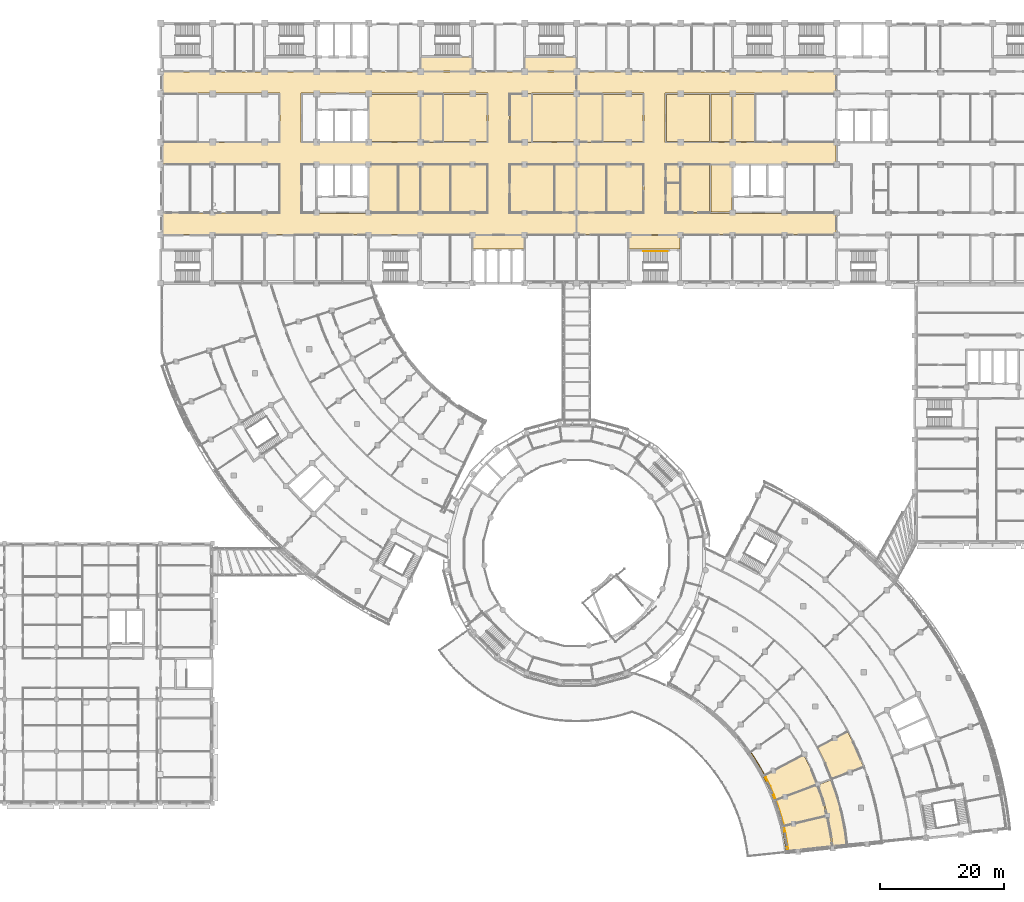
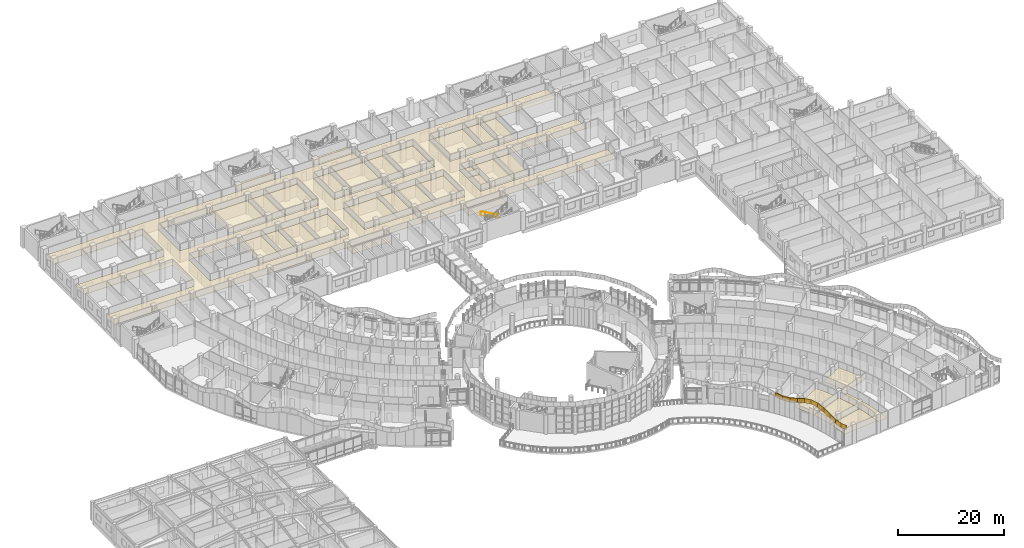
# One storey, part 124 of 136: 44 coverings, 1 railing.
"""IFC4 building model written with IfcOpenShell, lengths in metres."""

from ifc_helpers import new_model, si_unit, direction, frame, origin, origin_2d, place, context, subcontext, project, spatial, polyline, circle, outline, extrude, material, layer, layer_set, type_object, element, save


model = new_model("IFC4")

# Units and contexts
model_context = context("Model", 3, precision=1e-05, world=origin(), true_north=direction((0.0, 1.0)))
body_context = subcontext(model_context, "Body", "Model", "MODEL_VIEW")
ifc_project = project(units=[si_unit("LENGTHUNIT", "METRE"), si_unit("AREAUNIT", "SQUARE_METRE"), si_unit("VOLUMEUNIT", "CUBIC_METRE"), si_unit("PLANEANGLEUNIT", "RADIAN"), si_unit("MASSUNIT", "GRAM", prefix="KILO")], contexts=[model_context])

# Site, building, storey
site_placement = place(None, origin())
site = spatial("IfcSite", under=ifc_project, at=site_placement, CompositionType="ELEMENT")
building_placement = place(site_placement, origin())
building = spatial("IfcBuilding", under=site, at=building_placement, Name="Bougainvillea Quay General Hospital", CompositionType="ELEMENT")
storey_placement = place(building_placement, frame((0.0, 0.0, 5.39990234375)))
storey = spatial("IfcBuildingStorey", under=building, at=storey_placement, Name="L01", CompositionType="ELEMENT", Elevation=5.39990234375)

# Coverings
ifc_material_1 = material(Name="Powder-coated aluminium fascia, yellow", Category="aluminium")
ifc_layer_1 = layer(ifc_material_1, 0.14990234375)
ifc_layer_set_1 = layer_set([ifc_layer_1], Name="Powder-coated aluminium fascia, yellow")
covering_type_1 = type_object("IfcCoveringType", Name="Aluminium wave fascia ribbon yellow 150x1000", PredefinedType="CLADDING", material=ifc_layer_set_1)
covering_1_placement = place(storey_placement, frame((137.210693359375, 41.796142578125, 3.532470703125), z_axis=(0.109304679069, -0.162522992201, 0.980631818849), x_axis=(0.547215193624, -0.813753215754, -0.195860245371)))
element("IfcCovering", 1, at=covering_1_placement, inside=storey, type_object=covering_type_1, Name="Fascia ribbon yellow a21 12", PredefinedType="CLADDING", context=body_context, shape_type="SweptSolid", body=[
    extrude(outline(polyline([(0.0, 0.0), (1.623091750758603, 5.855369357779527e-17), (1.626678844659739, 0.1500378937856229), (-0.003605455353822603, 0.15006605403894868), (0.0, 0.0)])), origin(), (-0.195860245371, -1.1983443e-05, 0.980631818849), 1.0),
])
covering_2_placement = place(storey_placement, frame((138.098876953125, 40.475341796875, 3.21435546875), z_axis=(-0.036704765053, 0.060407528692, 0.997498717142), x_axis=(0.517723938121, -0.852622785898, 0.070684573024)))
element("IfcCovering", 2, at=covering_2_placement, inside=storey, type_object=covering_type_1, Name="Fascia ribbon yellow a21 13", PredefinedType="CLADDING", context=body_context, shape_type="SweptSolid", body=[
    extrude(outline(polyline([(0.0, 0.0), (1.5957765784056435, 7.288887917712705e-17), (1.599132199592897, 0.14992005384468463), (-0.0034442936421649637, 0.15003965349951517), (0.0, 0.0)])), origin(), (0.070684573024, 2.0895388e-05, 0.997498717142), 1.0),
])
covering_3_placement = place(storey_placement, frame((138.925048828125, 39.11474609375, 3.32763671875), z_axis=(-0.139577781086, 0.253833147348, 0.957124221998), x_axis=(0.458187473756, -0.840328502081, 0.289676107892)))
element("IfcCovering", 3, at=covering_3_placement, inside=storey, type_object=covering_type_1, Name="Fascia ribbon yellow a21 14", PredefinedType="CLADDING", context=body_context, shape_type="SweptSolid", body=[
    extrude(outline(polyline([(0.0, 0.0), (1.6629820342711992, 1.1752751549742868e-16), (1.6665577431635707, 0.1499926698340433), (-0.0037558150714066423, 0.14991353909751157), (0.0, 0.0)])), origin(), (0.289676107892, 0.000988019164, 0.957124221998), 1.0),
])
covering_4_placement = place(storey_placement, frame((139.68701171875, 37.71728515625, 3.810546875), z_axis=(-0.151199136034, 0.310548411371, 0.938455382774), x_axis=(0.410510609424, -0.84390731609, 0.345400465258)))
element("IfcCovering", 4, at=covering_4_placement, inside=storey, type_object=covering_type_1, Name="Fascia ribbon yellow a21 15", PredefinedType="CLADDING", context=body_context, shape_type="SweptSolid", body=[
    extrude(outline(polyline([(0.0, 0.0), (1.6961830978835348, 1.1687699419393738e-16), (1.699884797120591, 0.1500644866190289), (-0.003801287284776215, 0.14998710606373), (0.0, 0.0)])), origin(), (0.345400465258, 0.000114639478, 0.938455382774), 1.0),
])
covering_5_placement = place(storey_placement, frame((140.38330078125, 36.285888671875, 4.3974609375), z_axis=(-0.08899104159, 0.207156465886, 0.974251914629), x_axis=(0.385128956988, -0.894898039107, 0.22546216111)))
element("IfcCovering", 5, at=covering_5_placement, inside=storey, type_object=covering_type_1, Name="Fascia ribbon yellow a21 16", PredefinedType="CLADDING", context=body_context, shape_type="SweptSolid", body=[
    extrude(outline(polyline([(0.0, 0.0), (1.6336301712509134, 4.560425388017153e-17), (1.6373577691540309, 0.149926348093054), (-0.0035359368989838365, 0.15006530154823097), (0.0, 0.0)])), origin(), (0.22546216111, -0.000144045023, 0.974251914629), 1.0),
])
covering_6_placement = place(storey_placement, frame((141.012451171875, 34.823974609375, 4.76611328125), z_axis=(0.0106693338, -0.030715752509, 0.999471214125), x_axis=(0.352113568421, -0.935392666595, -0.032505295184)))
element("IfcCovering", 6, at=covering_6_placement, inside=storey, type_object=covering_type_1, Name="Fascia ribbon yellow a21 17", PredefinedType="CLADDING", context=body_context, shape_type="SweptSolid", body=[
    extrude(outline(polyline([(0.0, 0.0), (1.5926420998051474, 3.313592889658823e-17), (1.5961433591716665, 0.1499833036031019), (-0.003303879869528652, 0.14993471950987397), (0.0, 0.0)])), origin(), (-0.032505295184, 0.000835416629, 0.999471214125), 1.0),
])
covering_7_placement = place(storey_placement, frame((141.5732421875, 33.334228515625, 4.7138671875), z_axis=(0.082710229895, -0.255114139175, 0.963366905111), x_axis=(0.297141787985, -0.91639650359, -0.26818688641)))
element("IfcCovering", 7, at=covering_7_placement, inside=storey, type_object=covering_type_1, Name="Fascia ribbon yellow a21 18", PredefinedType="CLADDING", context=body_context, shape_type="SweptSolid", body=[
    extrude(outline(polyline([(0.0, 0.0), (1.6522955199543798, 6.67326437164828e-17), (1.655909649846166, 0.15004102140250847), (-0.00360327166584496, 0.1499840669337563), (0.0, 0.0)])), origin(), (-0.26818688641, 9.705968e-06, 0.963366905111), 1.0),
])
covering_8_placement = place(storey_placement, frame((142.064208984375, 31.820068359375, 4.26953125), z_axis=(0.09202025315, -0.335803139188, 0.93742654364), x_axis=(0.247431735423, -0.904182544731, -0.348183087053)))
element("IfcCovering", 8, at=covering_8_placement, inside=storey, type_object=covering_type_1, Name="Fascia ribbon yellow a21 19", PredefinedType="CLADDING", context=body_context, shape_type="SweptSolid", body=[
    extrude(outline(polyline([(0.0, 0.0), (1.6981282903606307, -1.0904363349772961e-16), (1.7017255711998942, 0.15018475790844693), (-0.003696228306645897, 0.15004080019126687), (0.0, 0.0)])), origin(), (-0.348183087053, -0.00011475317, 0.93742654364), 1.0),
])
covering_9_placement = place(storey_placement, frame((142.484375, 30.28466796875, 3.677001953125), z_axis=(0.055350153318, -0.245795680845, 0.967740070373), x_axis=(0.211975060788, -0.944239081696, -0.251950650329)))
element("IfcCovering", 9, at=covering_9_placement, inside=storey, type_object=covering_type_1, Name="Fascia ribbon yellow a21 20", PredefinedType="CLADDING", context=body_context, shape_type="SweptSolid", body=[
    extrude(outline(polyline([(0.0, 0.0), (1.6446692966513417, 2.0857339293189892e-17), (1.648176098484991, 0.14987422807711348), (-0.0036988072469338724, 0.15018049805096076), (0.0, 0.0)])), origin(), (-0.251950650329, -0.000161223552, 0.967740070373), 1.0),
])
covering_10_placement = place(storey_placement, frame((142.8330078125, 28.731689453125, 3.26220703125), z_axis=(0.001093654693, -0.006178637961, 0.999980313982), x_axis=(0.173466919426, -0.984819707482, -0.006274680863)))
element("IfcCovering", 10, at=covering_10_placement, inside=storey, type_object=covering_type_1, Name="Fascia ribbon yellow a21 21", PredefinedType="CLADDING", context=body_context, shape_type="SweptSolid", body=[
    extrude(outline(polyline([(0.0, 0.0), (1.5917909398261905, -6.045988828603187e-17), (1.5951371769588853, 0.14988527131755258), (-0.0035976804470477346, 0.14986890774978118), (0.0, 0.0)])), origin(), (-0.006274680863, -5.263401e-06, 0.999980313982), 1.0),
])
covering_11_placement = place(storey_placement, frame((143.109130859375, 27.1640625, 3.252685546875), z_axis=(-0.030747337513, 0.241336721018, 0.969954219705), x_axis=(0.123728061598, -0.962030474381, 0.243287346848)))
element("IfcCovering", 11, at=covering_11_placement, inside=storey, type_object=covering_type_1, Name="Fascia ribbon yellow a21 22", PredefinedType="CLADDING", context=body_context, shape_type="SweptSolid", body=[
    extrude(outline(polyline([(0.0, 0.0), (1.6338063549154436, 2.190088388420719e-17), (1.6338825298450514, 0.14989615915475488), (-0.003744885281890187, 0.14987902207535417), (0.0, 0.0)])), origin(), (0.243287346848, -0.000280248991, 0.969954219705), 1.0),
])

# Railing
ifc_material_2 = material(Name="Stainless steel 304 handrail", Category="steel")
railing_type = type_object("IfcRailingType", Name="Stair handrail 900", PredefinedType="HANDRAIL", material=ifc_material_2)
railing_placement = place(storey_placement, frame((123.89990234375, 122.77490234375, 0.150146484375)))
element("IfcRailing", 12, at=railing_placement, inside=storey, type_object=railing_type, Name="L01 ST-B3 stair handrail 1", PredefinedType="HANDRAIL", context=body_context, shape_type="SweptSolid", body=[
    extrude(circle(Radius=0.02392578125, at=origin_2d()), frame((0.0, 0.0, 0.8759765625), z_axis=(-0.881489763865, 0.0, 0.472203130232), x_axis=(0.0, -1.0, 0.0)), (0.0, 0.0, 1.0), 4.447021484375),
    extrude(circle(Radius=0.02099609375, at=origin_2d()), origin(), (0.0, 0.0, 1.0), 0.851806640625),
    extrude(circle(Radius=0.02099609375, at=origin_2d()), frame((-0.97998046875, 0.0, 0.52490234375)), (0.0, 0.0, 1.0), 0.851806640625),
    extrude(circle(Radius=0.02099609375, at=origin_2d()), frame((-1.9599609375, 0.0, 1.0498046875)), (0.0, 0.0, 1.0), 0.851806640625),
    extrude(circle(Radius=0.02099609375, at=origin_2d()), frame((-2.93994140625, 0.0, 1.574951171875)), (0.0, 0.0, 1.0), 0.851806640625),
    extrude(circle(Radius=0.02099609375, at=origin_2d()), frame((-3.919921875, 0.0, 2.099853515625)), (0.0, 0.0, 1.0), 0.851806640625),
])

# Coverings
ifc_material_3 = material(Name="Mineral fibre ceiling tile")
ifc_layer_2 = layer(ifc_material_3, 0.030029296875)
ifc_layer_set_2 = layer_set([ifc_layer_2], Name="Mineral fibre ceiling tile")
covering_type_2 = type_object("IfcCoveringType", Name="Suspended ceiling mineral fibre tile", PredefinedType="CEILING", material=ifc_layer_set_2)
covering_12_placement = place(storey_placement, frame((0.0, 0.0, 2.7001953125)))
element("IfcCovering", 13, at=covering_12_placement, inside=storey, type_object=covering_type_2, Name="Ceiling Corridor V4-5", PredefinedType="CEILING", context=body_context, shape_type="SweptSolid", body=[
    extrude(outline(polyline([(117.5, 125.449951171875), (117.5, 125.5), (126.10009765625, 125.5), (126.10009765625, 125.449951171875), (151.10009765625, 125.449951171875), (151.10009765625, 128.949951171875), (142.89990234375, 128.949951171875), (142.89990234375, 128.89990234375), (130.699951171875, 128.89990234375), (130.699951171875, 128.949951171875), (123.550048828125, 128.949951171875), (123.550048828125, 136.85009765625), (130.699951171875, 136.85009765625), (130.699951171875, 136.89990234375), (134.5, 136.89990234375), (134.5, 136.85009765625), (151.10009765625, 136.85009765625), (151.10009765625, 140.35009765625), (138.10009765625, 140.35009765625), (138.10009765625, 140.300048828125), (123.5, 140.300048828125), (123.5, 148.300048828125), (138.10009765625, 148.300048828125), (138.10009765625, 148.25), (151.10009765625, 148.25), (151.10009765625, 151.699951171875), (134.300048828125, 151.699951171875), (134.300048828125, 151.75), (117.699951171875, 151.75), (117.699951171875, 151.699951171875), (109.300048828125, 151.699951171875), (109.300048828125, 148.25), (113.300048828125, 148.25), (113.300048828125, 148.300048828125), (120.10009765625, 148.300048828125), (120.10009765625, 140.300048828125), (113.300048828125, 140.300048828125), (113.300048828125, 140.35009765625), (109.300048828125, 140.35009765625), (109.300048828125, 136.85009765625), (120.050048828125, 136.85009765625), (120.050048828125, 128.949951171875), (109.300048828125, 128.949951171875), (109.300048828125, 125.449951171875), (117.5, 125.449951171875)])), origin(), (0.0, 0.0, 1.0), 0.02978515625),
])
covering_13_placement = place(storey_placement, frame((0.0, 0.0, 2.7001953125)))
element("IfcCovering", 14, at=covering_13_placement, inside=storey, type_object=covering_type_2, Name="Ceiling Corridor V4-6", PredefinedType="CEILING", context=body_context, shape_type="SweptSolid", body=[
    extrude(outline(polyline([(42.0, 125.5), (50.5, 125.5), (50.5, 125.449951171875), (58.697998046875, 125.449951171875), (58.697998046875, 125.5), (63.697998046875, 125.5), (63.697998046875, 125.449951171875), (75.5, 125.449951171875), (75.5, 125.5), (84.10009765625, 125.5), (84.10009765625, 125.449951171875), (92.300048828125, 125.449951171875), (92.300048828125, 125.5), (100.89990234375, 125.5), (100.89990234375, 125.449951171875), (109.097900390625, 125.449951171875), (109.097900390625, 125.5), (109.10009765625, 125.5), (109.10009765625, 128.949951171875), (98.35009765625, 128.949951171875), (98.35009765625, 136.85009765625), (109.10009765625, 136.85009765625), (109.10009765625, 140.300048828125), (101.89990234375, 140.300048828125), (101.89990234375, 140.35009765625), (98.35009765625, 140.35009765625), (98.35009765625, 148.25), (101.89990234375, 148.25), (101.89990234375, 148.300048828125), (109.10009765625, 148.300048828125), (109.10009765625, 151.699951171875), (95.89990234375, 151.699951171875), (95.89990234375, 151.75), (92.5, 151.75), (92.5, 151.699951171875), (80.300048828125, 151.699951171875), (80.300048828125, 151.75), (75.699951171875, 151.75), (75.699951171875, 151.699951171875), (56.89794921875, 151.699951171875), (56.89794921875, 151.75), (50.5, 151.75), (50.5, 151.699951171875), (42.0, 151.699951171875), (42.0, 148.25), (47.89990234375, 148.25), (47.89990234375, 148.300048828125), (61.300048828125, 148.300048828125), (61.300048828125, 140.300048828125), (47.89990234375, 140.300048828125), (47.89990234375, 140.35009765625), (42.0, 140.35009765625), (42.0, 136.85009765625), (61.25, 136.85009765625), (61.25, 128.949951171875), (42.0, 128.949951171875), (42.0, 125.5)]), holes=[polyline([(67.10009765625, 128.89990234375), (75.699951171875, 128.89990234375), (75.699951171875, 128.949951171875), (94.85009765625, 128.949951171875), (94.85009765625, 136.85009765625), (64.75, 136.85009765625), (64.75, 128.949951171875), (67.10009765625, 128.949951171875), (67.10009765625, 128.89990234375)]), polyline([(67.300048828125, 140.300048828125), (67.300048828125, 140.35009765625), (75.5, 140.35009765625), (75.5, 140.300048828125), (84.10009765625, 140.300048828125), (84.10009765625, 140.35009765625), (87.5, 140.35009765625), (87.5, 140.300048828125), (94.89990234375, 140.300048828125), (94.89990234375, 148.300048828125), (87.5, 148.300048828125), (87.5, 148.25), (84.10009765625, 148.25), (84.10009765625, 148.300048828125), (64.699951171875, 148.300048828125), (64.699951171875, 140.300048828125), (67.300048828125, 140.300048828125)])]), origin(), (0.0, 0.0, 1.0), 0.02978515625),
])
covering_14_placement = place(storey_placement, frame((0.0, 0.0, 2.7001953125)))
element("IfcCovering", 15, at=covering_14_placement, inside=storey, type_object=covering_type_2, Name="Ceiling Lift Lobby LB-P1", PredefinedType="CEILING", context=body_context, shape_type="SweptSolid", body=[
    extrude(outline(polyline([(100.699951171875, 125.300048828125), (92.5, 125.300048828125), (92.5, 123.10009765625), (100.699951171875, 123.10009765625), (100.699951171875, 125.300048828125)])), origin(), (0.0, 0.0, 1.0), 0.02978515625),
])
covering_15_placement = place(storey_placement, frame((0.0, 0.0, 2.7001953125)))
element("IfcCovering", 16, at=covering_15_placement, inside=storey, type_object=covering_type_2, Name="Ceiling Smoke-proof Stair Vestibule ST-A2", PredefinedType="CEILING", context=body_context, shape_type="SweptSolid", body=[
    extrude(outline(polyline([(84.10009765625, 151.89990234375), (92.300048828125, 151.89990234375), (92.300048828125, 154.10009765625), (84.10009765625, 154.10009765625), (84.10009765625, 151.89990234375)])), origin(), (0.0, 0.0, 1.0), 0.02978515625),
])
covering_16_placement = place(storey_placement, frame((0.0, 0.0, 2.7001953125)))
element("IfcCovering", 17, at=covering_16_placement, inside=storey, type_object=covering_type_2, Name="Ceiling Smoke-proof Stair Vestibule ST-A5", PredefinedType="CEILING", context=body_context, shape_type="SweptSolid", body=[
    extrude(outline(polyline([(109.10009765625, 154.10009765625), (100.89990234375, 154.10009765625), (100.89990234375, 151.89990234375), (109.10009765625, 151.89990234375), (109.10009765625, 154.10009765625)])), origin(), (0.0, 0.0, 1.0), 0.02978515625),
])
covering_17_placement = place(storey_placement, frame((0.0, 0.0, 2.7001953125)))
element("IfcCovering", 18, at=covering_17_placement, inside=storey, type_object=covering_type_2, Name="Ceiling Smoke-proof Stair Vestibule ST-B3", PredefinedType="CEILING", context=body_context, shape_type="SweptSolid", body=[
    extrude(outline(polyline([(117.699951171875, 123.10009765625), (125.89990234375, 123.10009765625), (125.89990234375, 125.300048828125), (117.699951171875, 125.300048828125), (117.699951171875, 123.10009765625)])), origin(), (0.0, 0.0, 1.0), 0.02978515625),
])
covering_18_placement = place(storey_placement, frame((0.0, 0.0, 2.800048828125)))
element("IfcCovering", 19, at=covering_18_placement, inside=storey, type_object=covering_type_2, Name="Ceiling Intensive Care Bed Bay Room 09", PredefinedType="CEILING", context=body_context, shape_type="SweptSolid", body=[
    extrude(outline(polyline([(80.35009765625, 129.050048828125), (80.35009765625, 136.75), (75.64990234375, 136.75), (75.64990234375, 131.699951171875), (75.699951171875, 131.699951171875), (75.699951171875, 129.050048828125), (80.35009765625, 129.050048828125)])), origin(), (0.0, 0.0, 1.0), 0.030029296875),
])
covering_19_placement = place(storey_placement, frame((0.0, 0.0, 2.800048828125)))
element("IfcCovering", 20, at=covering_19_placement, inside=storey, type_object=covering_type_2, Name="Ceiling Intensive Care Bed Bay Room 10", PredefinedType="CEILING", context=body_context, shape_type="SweptSolid", body=[
    extrude(outline(polyline([(80.449951171875, 129.050048828125), (83.949951171875, 129.050048828125), (83.949951171875, 136.75), (80.449951171875, 136.75), (80.449951171875, 129.050048828125)])), origin(), (0.0, 0.0, 1.0), 0.030029296875),
])
covering_20_placement = place(storey_placement, frame((0.0, 0.0, 2.800048828125)))
element("IfcCovering", 21, at=covering_20_placement, inside=storey, type_object=covering_type_2, Name="Ceiling Intensive Care Bed Bay Room 11", PredefinedType="CEILING", context=body_context, shape_type="SweptSolid", body=[
    extrude(outline(polyline([(84.050048828125, 129.050048828125), (88.75, 129.050048828125), (88.75, 136.75), (84.050048828125, 136.75), (84.050048828125, 129.050048828125)])), origin(), (0.0, 0.0, 1.0), 0.030029296875),
])
covering_21_placement = place(storey_placement, frame((0.0, 0.0, 2.800048828125)))
element("IfcCovering", 22, at=covering_21_placement, inside=storey, type_object=covering_type_2, Name="Ceiling Intensive Care Bed Bay Room 12", PredefinedType="CEILING", context=body_context, shape_type="SweptSolid", body=[
    extrude(outline(polyline([(88.85009765625, 129.050048828125), (94.75, 129.050048828125), (94.75, 136.75), (88.85009765625, 136.75), (88.85009765625, 129.050048828125)])), origin(), (0.0, 0.0, 1.0), 0.030029296875),
])
covering_22_placement = place(storey_placement, frame((0.0, 0.0, 2.800048828125)))
element("IfcCovering", 23, at=covering_22_placement, inside=storey, type_object=covering_type_2, Name="Ceiling Intensive Care Nurses' Station", PredefinedType="CEILING", context=body_context, shape_type="SweptSolid", body=[
    extrude(outline(polyline([(98.449951171875, 129.050048828125), (105.550048828125, 129.050048828125), (105.550048828125, 136.75), (98.449951171875, 136.75), (98.449951171875, 129.050048828125)])), origin(), (0.0, 0.0, 1.0), 0.030029296875),
])
covering_23_placement = place(storey_placement, frame((0.0, 0.0, 2.800048828125)))
element("IfcCovering", 24, at=covering_23_placement, inside=storey, type_object=covering_type_2, Name="Ceiling Intensive Care Bed Bay Room 13", PredefinedType="CEILING", context=body_context, shape_type="SweptSolid", body=[
    extrude(outline(polyline([(105.64990234375, 129.050048828125), (109.10009765625, 129.050048828125), (109.10009765625, 136.75), (105.64990234375, 136.75), (105.64990234375, 129.050048828125)])), origin(), (0.0, 0.0, 1.0), 0.030029296875),
])
covering_24_placement = place(storey_placement, frame((0.0, 0.0, 2.800048828125)))
element("IfcCovering", 25, at=covering_24_placement, inside=storey, type_object=covering_type_2, Name="Ceiling Intensive Care Bed Bay Room 14", PredefinedType="CEILING", context=body_context, shape_type="SweptSolid", body=[
    extrude(outline(polyline([(113.949951171875, 129.050048828125), (113.949951171875, 136.75), (109.300048828125, 136.75), (109.300048828125, 129.050048828125), (113.949951171875, 129.050048828125)])), origin(), (0.0, 0.0, 1.0), 0.030029296875),
])
covering_25_placement = place(storey_placement, frame((0.0, 0.0, 2.800048828125)))
element("IfcCovering", 26, at=covering_25_placement, inside=storey, type_object=covering_type_2, Name="Ceiling Intensive Care Clean Utility", PredefinedType="CEILING", context=body_context, shape_type="SweptSolid", body=[
    extrude(outline(polyline([(114.050048828125, 129.050048828125), (119.949951171875, 129.050048828125), (119.949951171875, 136.75), (114.050048828125, 136.75), (114.050048828125, 129.050048828125)])), origin(), (0.0, 0.0, 1.0), 0.030029296875),
])
covering_26_placement = place(storey_placement, frame((0.0, 0.0, 2.800048828125)))
element("IfcCovering", 27, at=covering_26_placement, inside=storey, type_object=covering_type_2, Name="Ceiling Intensive Care Bed Bay Room 15", PredefinedType="CEILING", context=body_context, shape_type="SweptSolid", body=[
    extrude(outline(polyline([(125.949951171875, 133.75), (123.64990234375, 133.75), (123.64990234375, 129.050048828125), (125.949951171875, 129.050048828125), (125.949951171875, 133.75)])), origin(), (0.0, 0.0, 1.0), 0.030029296875),
])
covering_27_placement = place(storey_placement, frame((0.0, 0.0, 2.800048828125)))
element("IfcCovering", 28, at=covering_27_placement, inside=storey, type_object=covering_type_2, Name="Ceiling Intensive Care Bed Bay Room 16", PredefinedType="CEILING", context=body_context, shape_type="SweptSolid", body=[
    extrude(outline(polyline([(125.949951171875, 136.75), (123.64990234375, 136.75), (123.64990234375, 133.85009765625), (125.949951171875, 133.85009765625), (125.949951171875, 136.75)])), origin(), (0.0, 0.0, 1.0), 0.030029296875),
])
covering_28_placement = place(storey_placement, frame((0.0, 0.0, 2.800048828125)))
element("IfcCovering", 29, at=covering_28_placement, inside=storey, type_object=covering_type_2, Name="Ceiling Intensive Care Staff Room", PredefinedType="CEILING", context=body_context, shape_type="SweptSolid", body=[
    extrude(outline(polyline([(126.050048828125, 129.050048828125), (130.699951171875, 129.050048828125), (130.699951171875, 136.75), (126.050048828125, 136.75), (126.050048828125, 129.050048828125)])), origin(), (0.0, 0.0, 1.0), 0.030029296875),
])
covering_29_placement = place(storey_placement, frame((0.0, 0.0, 2.800048828125)))
element("IfcCovering", 30, at=covering_29_placement, inside=storey, type_object=covering_type_2, Name="Ceiling Intensive Care Equipment Store", PredefinedType="CEILING", context=body_context, shape_type="SweptSolid", body=[
    extrude(outline(polyline([(130.89990234375, 136.699951171875), (130.89990234375, 129.10009765625), (134.300048828125, 129.10009765625), (134.300048828125, 136.699951171875), (130.89990234375, 136.699951171875)])), origin(), (0.0, 0.0, 1.0), 0.030029296875),
])
covering_30_placement = place(storey_placement, frame((0.0, 0.0, 2.800048828125)))
element("IfcCovering", 31, at=covering_30_placement, inside=storey, type_object=covering_type_2, Name="Ceiling Aseptic Compounding Suite", PredefinedType="CEILING", context=body_context, shape_type="SweptSolid", body=[
    extrude(outline(polyline([(83.89990234375, 140.5), (83.89990234375, 148.10009765625), (75.699951171875, 148.10009765625), (75.699951171875, 140.5), (83.89990234375, 140.5)])), origin(), (0.0, 0.0, 1.0), 0.030029296875),
])
covering_31_placement = place(storey_placement, frame((0.0, 0.0, 2.800048828125)))
element("IfcCovering", 32, at=covering_31_placement, inside=storey, type_object=covering_type_2, Name="Ceiling Aseptic Gowning Room", PredefinedType="CEILING", context=body_context, shape_type="SweptSolid", body=[
    extrude(outline(polyline([(87.5, 140.449951171875), (87.5, 148.14990234375), (84.10009765625, 148.14990234375), (84.10009765625, 140.449951171875), (87.5, 140.449951171875)])), origin(), (0.0, 0.0, 1.0), 0.030029296875),
])
covering_32_placement = place(storey_placement, frame((0.0, 0.0, 2.800048828125)))
element("IfcCovering", 33, at=covering_32_placement, inside=storey, type_object=covering_type_2, Name="Ceiling Pharmacy Manufacturing Room", PredefinedType="CEILING", context=body_context, shape_type="SweptSolid", body=[
    extrude(outline(polyline([(94.699951171875, 148.10009765625), (87.699951171875, 148.10009765625), (87.699951171875, 140.5), (94.699951171875, 140.5), (94.699951171875, 148.10009765625)])), origin(), (0.0, 0.0, 1.0), 0.030029296875),
])
covering_33_placement = place(storey_placement, frame((0.0, 0.0, 2.800048828125)))
element("IfcCovering", 34, at=covering_33_placement, inside=storey, type_object=covering_type_2, Name="Ceiling Aseptic Gowning Room", PredefinedType="CEILING", context=body_context, shape_type="SweptSolid", body=[
    extrude(outline(polyline([(98.449951171875, 140.449951171875), (101.89990234375, 140.449951171875), (101.89990234375, 148.14990234375), (98.449951171875, 148.14990234375), (98.449951171875, 140.449951171875)])), origin(), (0.0, 0.0, 1.0), 0.030029296875),
])
covering_34_placement = place(storey_placement, frame((0.0, 0.0, 2.800048828125)))
element("IfcCovering", 35, at=covering_34_placement, inside=storey, type_object=covering_type_2, Name="Ceiling Pharmacy Manufacturing Room", PredefinedType="CEILING", context=body_context, shape_type="SweptSolid", body=[
    extrude(outline(polyline([(102.10009765625, 140.5), (109.10009765625, 140.5), (109.10009765625, 148.10009765625), (102.10009765625, 148.10009765625), (102.10009765625, 140.5)])), origin(), (0.0, 0.0, 1.0), 0.030029296875),
])
covering_35_placement = place(storey_placement, frame((0.0, 0.0, 2.800048828125)))
element("IfcCovering", 36, at=covering_35_placement, inside=storey, type_object=covering_type_2, Name="Ceiling Blood Bank Reception", PredefinedType="CEILING", context=body_context, shape_type="SweptSolid", body=[
    extrude(outline(polyline([(109.300048828125, 148.14990234375), (109.300048828125, 140.449951171875), (113.300048828125, 140.449951171875), (113.300048828125, 148.14990234375), (109.300048828125, 148.14990234375)])), origin(), (0.0, 0.0, 1.0), 0.030029296875),
])
covering_36_placement = place(storey_placement, frame((0.0, 0.0, 2.800048828125)))
element("IfcCovering", 37, at=covering_36_placement, inside=storey, type_object=covering_type_2, Name="Ceiling Blood Bank Crossmatch Laboratory", PredefinedType="CEILING", context=body_context, shape_type="SweptSolid", body=[
    extrude(outline(polyline([(113.5, 140.5), (119.89990234375, 140.5), (119.89990234375, 148.10009765625), (113.5, 148.10009765625), (113.5, 140.5)])), origin(), (0.0, 0.0, 1.0), 0.030029296875),
])
covering_37_placement = place(storey_placement, frame((0.0, 0.0, 2.800048828125)))
element("IfcCovering", 38, at=covering_37_placement, inside=storey, type_object=covering_type_2, Name="Ceiling Blood Bank Crossmatch Laboratory", PredefinedType="CEILING", context=body_context, shape_type="SweptSolid", body=[
    extrude(outline(polyline([(130.699951171875, 148.10009765625), (123.699951171875, 148.10009765625), (123.699951171875, 140.5), (130.699951171875, 140.5), (130.699951171875, 148.10009765625)])), origin(), (0.0, 0.0, 1.0), 0.030029296875),
])
covering_38_placement = place(storey_placement, frame((0.0, 0.0, 2.800048828125)))
element("IfcCovering", 39, at=covering_38_placement, inside=storey, type_object=covering_type_2, Name="Ceiling Blood Storage Room", PredefinedType="CEILING", context=body_context, shape_type="SweptSolid", body=[
    extrude(outline(polyline([(130.89990234375, 148.10009765625), (130.89990234375, 140.5), (134.300048828125, 140.5), (134.300048828125, 148.10009765625), (130.89990234375, 148.10009765625)])), origin(), (0.0, 0.0, 1.0), 0.030029296875),
])
covering_39_placement = place(storey_placement, frame((0.0, 0.0, 2.800048828125)))
element("IfcCovering", 40, at=covering_39_placement, inside=storey, type_object=covering_type_2, Name="Ceiling Platelet Storage Room", PredefinedType="CEILING", context=body_context, shape_type="SweptSolid", body=[
    extrude(outline(polyline([(134.5, 148.10009765625), (134.5, 140.5), (137.89990234375, 140.5), (137.89990234375, 148.10009765625), (134.5, 148.10009765625)])), origin(), (0.0, 0.0, 1.0), 0.030029296875),
])
covering_40_placement = place(storey_placement, frame((0.0, 0.0, 2.7001953125)))
element("IfcCovering", 41, at=covering_40_placement, inside=storey, type_object=covering_type_2, Name="Ceiling Respiratory Function Consulting Room 01E102", PredefinedType="CEILING", context=body_context, shape_type="SweptSolid", body=[
    extrude(outline(polyline([(149.34375, 40.190673828125), (149.3486328125, 40.192626953125), (149.37548828125, 40.12548828125), (149.407470703125, 40.060791015625), (149.402587890625, 40.058349609375), (150.388916015625, 37.611083984375), (150.393798828125, 37.611083984375), (150.40966796875, 37.565673828125), (155.527587890625, 39.4921875), (155.047607421875, 40.7197265625), (154.4365234375, 42.1513671875), (153.780517578125, 43.563232421875), (152.970458984375, 45.1572265625), (148.162109375, 42.607666015625), (148.17333984375, 42.588134765625), (148.16943359375, 42.5859375), (149.34375, 40.190673828125)])), origin(), (0.0, 0.0, 1.0), 0.02978515625),
])
covering_41_placement = place(storey_placement, frame((0.0, 0.0, 2.7001953125)))
element("IfcCovering", 42, at=covering_41_placement, inside=storey, type_object=covering_type_2, Name="Ceiling Sleep Studies Treatment Room 01E113", PredefinedType="CEILING", context=body_context, shape_type="SweptSolid", body=[
    extrude(outline(polyline([(139.75244140625, 37.02978515625), (139.75390625, 37.030517578125), (139.79736328125, 36.942138671875), (139.7958984375, 36.94140625), (140.216552734375, 36.048095703125), (140.218017578125, 36.048828125), (140.258544921875, 35.958984375), (140.257080078125, 35.95849609375), (140.648681640625, 35.05126953125), (140.650146484375, 35.0517578125), (140.687744140625, 34.9609375), (140.686279296875, 34.960205078125), (141.04833984375, 34.042236328125), (148.02197265625, 36.6669921875), (147.050537109375, 39.077392578125), (145.90673828125, 41.411865234375), (139.303955078125, 37.909912109375), (139.75244140625, 37.02978515625)])), origin(), (0.0, 0.0, 1.0), 0.02978515625),
])
covering_42_placement = place(storey_placement, frame((0.0, 0.0, 2.400146484375)))
element("IfcCovering", 43, at=covering_42_placement, inside=storey, type_object=covering_type_2, Name="Ceiling Clinic Corridor 01E1", PredefinedType="CEILING", context=body_context, shape_type="SweptSolid", body=[
    extrude(outline(polyline([(149.07861328125, 34.09521484375), (149.736083984375, 31.66845703125), (149.740478515625, 31.66943359375), (149.755126953125, 31.598388671875), (149.77392578125, 31.5283203125), (149.76953125, 31.527099609375), (150.26953125, 29.064208984375), (150.27490234375, 29.06494140625), (150.283935546875, 28.9931640625), (150.29833984375, 28.92236328125), (150.293212890625, 28.92138671875), (150.6171875, 26.406494140625), (152.85302734375, 26.641845703125), (152.501953125, 29.370849609375), (151.944091796875, 32.11669921875), (151.21240234375, 34.82177734375), (150.31884765625, 37.37109375), (148.21435546875, 36.5791015625), (149.03564453125, 34.233642578125), (149.040771484375, 34.235107421875), (149.0595703125, 34.165283203125), (149.08349609375, 34.096923828125), (149.07861328125, 34.09521484375)])), origin(), (0.0, 0.0, 1.0), 0.030029296875),
])
covering_43_placement = place(storey_placement, frame((0.0, 0.0, 2.7001953125)))
element("IfcCovering", 44, at=covering_43_placement, inside=storey, type_object=covering_type_2, Name="Ceiling Hearing Consulting Room 01E111", PredefinedType="CEILING", context=body_context, shape_type="SweptSolid", body=[
    extrude(outline(polyline([(141.416748046875, 33.01953125), (141.418212890625, 33.02001953125), (141.449951171875, 32.9267578125), (141.448486328125, 32.92626953125), (141.751708984375, 31.986328125), (141.753173828125, 31.98681640625), (141.781982421875, 31.892822265625), (141.780517578125, 31.892333984375), (142.0537109375, 30.9423828125), (142.05517578125, 30.94287109375), (142.080810546875, 30.84765625), (142.079345703125, 30.847412109375), (142.322265625, 29.890869140625), (149.595947265625, 31.612060546875), (148.916259765625, 34.120849609375), (148.057373046875, 36.573486328125), (141.083740234375, 33.948486328125), (141.416748046875, 33.01953125)])), origin(), (0.0, 0.0, 1.0), 0.02978515625),
])
covering_44_placement = place(storey_placement, frame((0.0, 0.0, 2.7001953125)))
element("IfcCovering", 45, at=covering_44_placement, inside=storey, type_object=covering_type_2, Name="Ceiling Audiology Examination Room 01E112", PredefinedType="CEILING", context=body_context, shape_type="SweptSolid", body=[
    extrude(outline(polyline([(143.012939453125, 25.555908203125), (143.0078125, 25.605712890625), (150.468017578125, 26.390869140625), (150.135986328125, 28.96875), (149.618896484375, 31.5146484375), (142.345458984375, 29.793701171875), (142.56787109375, 28.78271484375), (142.51904296875, 28.77197265625), (142.718017578125, 27.705078125), (142.887939453125, 26.597900390625), (143.012939453125, 25.555908203125)])), origin(), (0.0, 0.0, 1.0), 0.02978515625),
])

save(model, "model.ifc")
